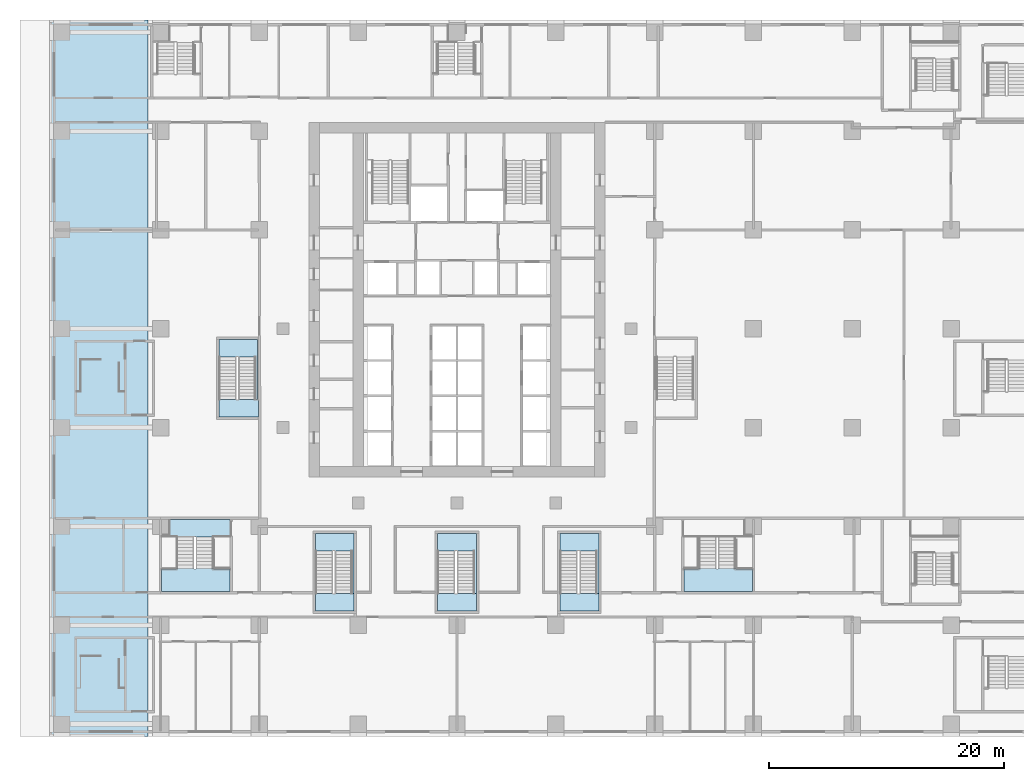
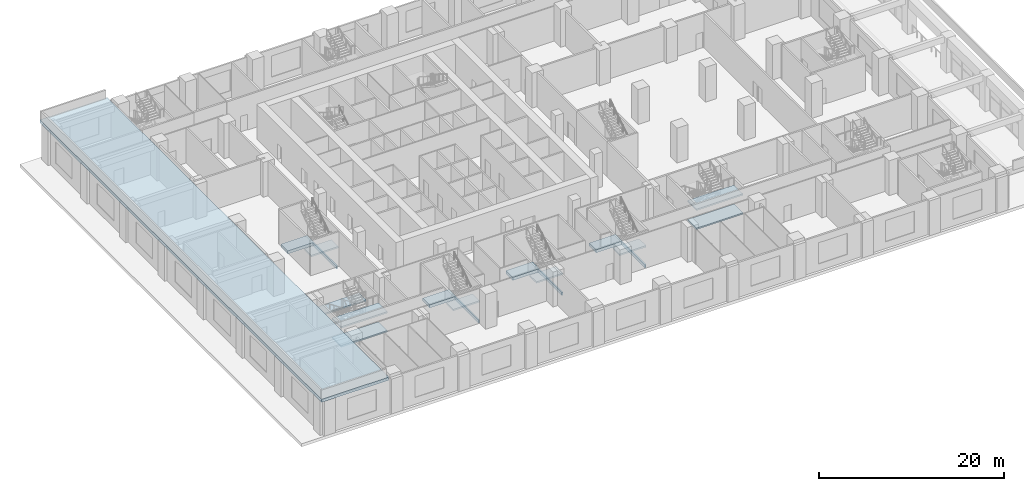
# One storey, part 4 of 29: 14 slabs, 6 elements without a shape of their own.
"""IFC4 building model written with IfcOpenShell, lengths in metres."""

import ifcopenshell
import ifcopenshell.guid

model = None  # the IFC model being written
_history = None  # IfcOwnerHistory: only IFC2X3 demands one
_inside = {}  # id of a spatial element -> (the spatial element, [elements in it])
_under = {}  # id of a project, library or spatial element -> (it, [spatial elements below it])
_declared = {}  # id of a project -> (the project, [libraries it declares])
_typed = {}  # id of a type object -> (the type object, [elements of that type])
_made_of = {}  # id of a material, layer set ... -> (it, [elements and type objects made of it])


def new_model(schema):
    """Start an empty IFC model of exactly this schema.

    Asked for "IFC4X3", IfcOpenShell would pick the latest addendum, in which some entities
    have other attributes; the version numbers below select the first issue.
    IFC2X3 requires an IfcOwnerHistory on every rooted entity: one is made here for all.
    """
    global model, _history
    if schema == "IFC4X3":
        model = ifcopenshell.file(schema_version=(4, 3, 0, 0))
    else:
        model = ifcopenshell.file(schema=schema)
    _inside.clear()
    _under.clear()
    _declared.clear()
    _typed.clear()
    _made_of.clear()
    _history = None
    if model.schema == "IFC2X3":
        org = make("IfcOrganization", Name="unknown")
        user = make(
            "IfcPersonAndOrganization",
            ThePerson=make("IfcPerson", FamilyName="unknown"),
            TheOrganization=org,
        )
        app = make(
            "IfcApplication",
            ApplicationDeveloper=org,
            Version="unknown",
            ApplicationFullName="unknown",
            ApplicationIdentifier="unknown",
        )
        _history = make(
            "IfcOwnerHistory",
            OwningUser=user,
            OwningApplication=app,
            ChangeAction="ADDED",
            CreationDate=0,
        )
    return model


def make(cls, **values):
    """One entity of the class cls with the attributes given. An attribute that is None is left unset."""
    return model.create_entity(
        cls, **{name: value for name, value in values.items() if value is not None}
    )


def rooted(cls, **values):
    """An entity with a GlobalId (a new one), such as an element, a storey or a relation."""
    return make(cls, GlobalId=ifcopenshell.guid.new(), OwnerHistory=_history, **values)


def si_unit(unit_type, name, prefix=None):
    """IfcSIUnit, for example si_unit("LENGTHUNIT", "METRE", prefix="MILLI")."""
    return make("IfcSIUnit", UnitType=unit_type, Prefix=prefix, Name=name)


def assignment(units):
    """IfcUnitAssignment: the units of a project."""
    return None if units is None else make("IfcUnitAssignment", Units=units)


def point(xyz):
    """IfcCartesianPoint."""
    return None if xyz is None else make("IfcCartesianPoint", Coordinates=xyz)


def direction(xyz):
    """IfcDirection."""
    return None if xyz is None else make("IfcDirection", DirectionRatios=xyz)


def frame(location, z_axis=None, x_axis=None):
    """IfcAxis2Placement3D, a coordinate frame: its origin and axes. An axis left out is left unset."""
    return make(
        "IfcAxis2Placement3D",
        Location=point(location),
        Axis=direction(z_axis),
        RefDirection=direction(x_axis),
    )


def origin():
    """The frame at (0, 0, 0) with its axes left unset."""
    return frame((0.0, 0.0, 0.0))


def place(relative_to, where):
    """IfcLocalPlacement: puts the frame where relative to a parent placement (None: the world)."""
    return make(
        "IfcLocalPlacement", PlacementRelTo=relative_to, RelativePlacement=where
    )


def context(
    kind, dimensions, precision=None, world=None, true_north=None, identifier=None
):
    """IfcGeometricRepresentationContext, for example the 3D "Model" context."""
    return make(
        "IfcGeometricRepresentationContext",
        ContextIdentifier=identifier,
        ContextType=kind,
        CoordinateSpaceDimension=dimensions,
        Precision=precision,
        WorldCoordinateSystem=world,
        TrueNorth=true_north,
    )


def subcontext(parent, identifier, kind, view, scale=None):
    """IfcGeometricRepresentationSubContext, for example "Body" below "Model"."""
    return make(
        "IfcGeometricRepresentationSubContext",
        ContextIdentifier=identifier,
        ContextType=kind,
        ParentContext=parent,
        TargetScale=scale,
        TargetView=view,
    )


def project(units=None, contexts=None):
    """IfcProject with its units and contexts."""
    return rooted(
        "IfcProject",
        Name="project",
        RepresentationContexts=contexts,
        UnitsInContext=assignment(units),
    )


def spatial(cls, under=None, at=None, **own):
    """A site, building, storey or space (cls), placed at a placement, below another one or the project."""
    s = rooted(cls, ObjectPlacement=at, **own)
    if under is not None:
        _under.setdefault(under.id(), (under, []))[1].append(s)
    return s


def polyline(points):
    """IfcPolyline through the points."""
    return make("IfcPolyline", Points=[point(p) for p in points])


def outline(outer, holes=None, kind="AREA"):
    """IfcArbitraryClosedProfileDef: a profile drawn as a closed curve; with holes, ...WithVoids."""
    if holes is None:
        return make("IfcArbitraryClosedProfileDef", ProfileType=kind, OuterCurve=outer)
    return make(
        "IfcArbitraryProfileDefWithVoids",
        ProfileType=kind,
        OuterCurve=outer,
        InnerCurves=holes,
    )


def extrude(swept, where, along, depth):
    """IfcExtrudedAreaSolid: the profile swept, set in the frame where, extruded along a direction by depth."""
    return make(
        "IfcExtrudedAreaSolid",
        SweptArea=swept,
        Position=where,
        ExtrudedDirection=direction(along),
        Depth=depth,
    )


def shape(context_of_items, identifier, shape_type, items):
    """IfcShapeRepresentation: the items that make up one representation, for example the "Body"."""
    return make(
        "IfcShapeRepresentation",
        ContextOfItems=context_of_items,
        RepresentationIdentifier=identifier,
        RepresentationType=shape_type,
        Items=items,
    )


def material(Name=None, Category=None):
    """IfcMaterial."""
    return make("IfcMaterial", Name=Name, Category=Category)


def layer(
    of_material, thickness, ventilated=None, Name=None, Category=None, Priority=None
):
    """IfcMaterialLayer: one layer of a wall or slab, of a material (None: an air gap)."""
    return make(
        "IfcMaterialLayer",
        Material=of_material,
        LayerThickness=thickness,
        IsVentilated=ventilated,
        Name=Name,
        Category=Category,
        Priority=Priority,
    )


def layer_set(layers, Name=None):
    """IfcMaterialLayerSet."""
    return make("IfcMaterialLayerSet", MaterialLayers=layers, LayerSetName=Name)


def made_of(thing, what):
    """Note that an element or type object is made of a material, layer set ...; save() writes the relation."""
    if what is not None:
        _made_of.setdefault(what.id(), (what, []))[1].append(thing)
    return thing


def type_object(cls, material=None, **own):
    """A type object (cls), such as IfcWallType, which elements share."""
    return made_of(rooted(cls, **own), material)


def element(
    cls,
    number,
    at=None,
    inside=None,
    cuts=None,
    type_object=None,
    material=None,
    context=None,
    identifier="Body",
    shape_type=None,
    held_by="IfcProductDefinitionShape",
    body=None,
    shapes=None,
    **own,
):
    """One element of the class cls, such as IfcWall. Its Tag is "e" and its number.

    at: its placement. inside: the storey or other place that contains it. cuts: it is an
    opening in that element (IfcRelVoidsElement). A single representation is given by context,
    identifier, shape_type and body (its items); several are given by shapes. held_by: the class
    of the entity that holds the representations. save() writes the other relations.
    """
    e = rooted(cls, Tag="e%d" % number, ObjectPlacement=at, **own)
    if body is not None:
        shapes = [shape(context, identifier, shape_type, body)]
    if shapes is not None:
        e.Representation = make(held_by, Representations=shapes)
    if inside is not None:
        _inside.setdefault(inside.id(), (inside, []))[1].append(e)
    if cuts is not None:
        rooted(
            "IfcRelVoidsElement", RelatingBuildingElement=cuts, RelatedOpeningElement=e
        )
    if type_object is not None:
        _typed.setdefault(type_object.id(), (type_object, []))[1].append(e)
    return made_of(e, material)


def aggregate(whole, parts):
    """IfcRelAggregates: a whole, such as a stair, and the parts it consists of."""
    return rooted("IfcRelAggregates", RelatingObject=whole, RelatedObjects=parts)


def save(model, path):
    """Write the relations noted so far, then the file.

    IfcRelAggregates (storeys below a building ...), IfcRelContainedInSpatialStructure (elements
    in a storey), IfcRelDefinesByType, IfcRelAssociatesMaterial and IfcRelDeclares: one each for
    every whole, place, type object, material and project.
    """
    for whole, parts in _under.values():
        aggregate(whole, parts)
    for where, things in _inside.values():
        rooted(
            "IfcRelContainedInSpatialStructure",
            RelatedElements=things,
            RelatingStructure=where,
        )
    for kind, things in _typed.values():
        rooted("IfcRelDefinesByType", RelatedObjects=things, RelatingType=kind)
    for what, things in _made_of.values():
        rooted("IfcRelAssociatesMaterial", RelatedObjects=things, RelatingMaterial=what)
    for by, libraries in _declared.values():
        rooted("IfcRelDeclares", RelatingContext=by, RelatedDefinitions=libraries)
    model.write(path)


model = new_model("IFC4")

# Units and contexts
model_context = context("Model", 3, precision=1e-05, world=origin(), true_north=direction((0.0, 1.0)))
body_context = subcontext(model_context, "Body", "Model", "MODEL_VIEW")
ifc_project = project(units=[si_unit("LENGTHUNIT", "METRE"), si_unit("AREAUNIT", "SQUARE_METRE"), si_unit("VOLUMEUNIT", "CUBIC_METRE"), si_unit("PLANEANGLEUNIT", "RADIAN"), si_unit("MASSUNIT", "GRAM", prefix="KILO")], contexts=[model_context])

# Site, building, storey
site_placement = place(None, origin())
site = spatial("IfcSite", under=ifc_project, at=site_placement, CompositionType="ELEMENT")
building_placement = place(site_placement, origin())
building = spatial("IfcBuilding", under=site, at=building_placement, Name="Vermilion Ogive Tower", CompositionType="ELEMENT")
storey_placement = place(building_placement, frame((0.0, 0.0, 7.5)))
storey = spatial("IfcBuildingStorey", under=building, at=storey_placement, Name="L01", CompositionType="ELEMENT", Elevation=7.5)

# Slabs
ifc_material_1 = material(Name="Concrete B40", Category="concrete")
ifc_layer_1 = layer(ifc_material_1, 0.39990234375)
ifc_layer_set_1 = layer_set([ifc_layer_1], Name="Core floor slab 400 B40")
slab_type_1 = type_object("IfcSlabType", Name="Core floor slab 400 B40", PredefinedType="FLOOR", material=ifc_layer_set_1)
slab_1_placement = place(storey_placement, frame((0.0, 0.0, -0.39990234375)))
element("IfcSlab", 1, at=slab_1_placement, inside=storey, type_object=slab_type_1, Name="L01-SF-ST3-1", PredefinedType="FLOOR", context=body_context, shape_type="SweptSolid", body=[
    extrude(outline(polyline([(-12.050048828125, -13.199951171875), (-12.050048828125, -14.701904296875), (-10.550048828125, -14.701904296875), (-10.550048828125, -14.699951171875), (-10.39990234375, -14.699951171875), (-10.39990234375, -14.701904296875), (-8.89990234375, -14.701904296875), (-8.89990234375, -19.800048828125), (-8.75, -19.800048828125), (-8.75, -13.199951171875), (-12.050048828125, -13.199951171875)])), origin(), (0.0, 0.0, 1.0), 0.39990234375),
])
slab_2_placement = place(storey_placement, frame((0.0, 0.0, -0.39990234375)))
element("IfcSlab", 2, at=slab_2_placement, inside=storey, type_object=slab_type_1, Name="L01-SF-ST4-1", PredefinedType="FLOOR", context=body_context, shape_type="SweptSolid", body=[
    extrude(outline(polyline([(-1.64990234375, -13.199951171875), (-1.64990234375, -14.701904296875), (-0.14990234375, -14.701904296875), (-0.14990234375, -14.699951171875), (0.0, -14.699951171875), (0.0, -14.701904296875), (1.5, -14.701904296875), (1.5, -19.800048828125), (1.64990234375, -19.800048828125), (1.64990234375, -13.199951171875), (-1.64990234375, -13.199951171875)])), origin(), (0.0, 0.0, 1.0), 0.39990234375),
])
slab_3_placement = place(storey_placement, frame((0.0, 0.0, -0.39990234375)))
element("IfcSlab", 3, at=slab_3_placement, inside=storey, type_object=slab_type_1, Name="L01-SF-ST5-1", PredefinedType="FLOOR", context=body_context, shape_type="SweptSolid", body=[
    extrude(outline(polyline([(8.75, -13.199951171875), (8.75, -14.701904296875), (10.25, -14.701904296875), (10.25, -14.699951171875), (10.39990234375, -14.699951171875), (10.39990234375, -14.701904296875), (11.89990234375, -14.701904296875), (11.89990234375, -19.800048828125), (12.050048828125, -19.800048828125), (12.050048828125, -13.199951171875), (8.75, -13.199951171875)])), origin(), (0.0, 0.0, 1.0), 0.39990234375),
])
slab_4_placement = place(storey_placement, frame((0.0, 0.0, -0.39990234375)))
element("IfcSlab", 4, at=slab_4_placement, inside=storey, type_object=slab_type_1, Name="L01-SF-ST9-1", PredefinedType="FLOOR", context=body_context, shape_type="SweptSolid", body=[
    extrude(outline(polyline([(-20.25, 3.300048828125), (-20.25, 1.798095703125), (-18.75, 1.798095703125), (-18.75, 1.800048828125), (-18.60009765625, 1.800048828125), (-18.60009765625, 1.798095703125), (-17.10009765625, 1.798095703125), (-17.10009765625, -3.300048828125), (-16.949951171875, -3.300048828125), (-16.949951171875, 3.300048828125), (-20.25, 3.300048828125)])), origin(), (0.0, 0.0, 1.0), 0.39990234375),
])
ifc_material_2 = material(Name="Concrete B45", Category="concrete")
ifc_layer_2 = layer(ifc_material_2, 0.39990234375)
ifc_layer_set_2 = layer_set([ifc_layer_2], Name="Podium roof slab 400")
slab_type_2 = type_object("IfcSlabType", Name="Podium roof slab 400", PredefinedType="ROOF", material=ifc_layer_set_2)
slab_5_placement = place(storey_placement, frame((0.0, 0.0, 4.60009765625)))
element("IfcSlab", 5, at=slab_5_placement, inside=storey, type_object=slab_type_2, Name="L01 terrace roof 2", PredefinedType="ROOF", context=body_context, shape_type="SweptSolid", body=[
    extrude(outline(polyline([(-34.64990234375, -30.449951171875), (-26.2509765625, -30.449951171875), (-26.2509765625, 30.449951171875), (-34.64990234375, 30.449951171875), (-34.64990234375, -30.449951171875)])), origin(), (0.0, 0.0, 1.0), 0.39990234375),
])

# Stair, slab
ifc_material_3 = material(Name="Concrete B40", Category="concrete")
stair_type = type_object("IfcStairType", Name="Exit stair 1500", PredefinedType="HALF_TURN_STAIR", material=ifc_material_3)
stair_1_placement = place(storey_placement, origin())
stair_1 = element("IfcStair", 6, at=stair_1_placement, inside=storey, type_object=stair_type, Name="L01 Exit Stair ST3", PredefinedType="HALF_TURN_STAIR")
ifc_material_4 = material(Name="Concrete B40", Category="concrete")
ifc_layer_3 = layer(ifc_material_4, 0.199951171875)
ifc_layer_set_3 = layer_set([ifc_layer_3], Name="Stair landing 200")
slab_type_3 = type_object("IfcSlabType", Name="Stair landing 200", PredefinedType="LANDING", material=ifc_layer_set_3)
slab_6_placement = place(storey_placement, frame((0.0, 0.0, 2.300048828125)))
slab_6 = element("IfcSlab", 7, at=slab_6_placement, type_object=slab_type_3, Name="ST3 landing 1", PredefinedType="LANDING", context=body_context, shape_type="SweptSolid", body=[
    extrude(outline(polyline([(-8.75, -18.300048828125), (-8.89990234375, -18.300048828125), (-8.89990234375, -18.298095703125), (-10.39990234375, -18.298095703125), (-10.39990234375, -18.300048828125), (-10.550048828125, -18.300048828125), (-10.550048828125, -18.298095703125), (-12.050048828125, -18.298095703125), (-12.050048828125, -19.800048828125), (-8.75, -19.800048828125), (-8.75, -18.300048828125)])), origin(), (0.0, 0.0, 1.0), 0.199951171875),
])
aggregate(stair_1, [slab_6])

stair_2_placement = place(storey_placement, origin())
stair_2 = element("IfcStair", 8, at=stair_2_placement, inside=storey, type_object=stair_type, Name="L01 Exit Stair ST4", PredefinedType="HALF_TURN_STAIR")
slab_7_placement = place(storey_placement, frame((0.0, 0.0, 2.300048828125)))
slab_7 = element("IfcSlab", 9, at=slab_7_placement, type_object=slab_type_3, Name="ST4 landing 1", PredefinedType="LANDING", context=body_context, shape_type="SweptSolid", body=[
    extrude(outline(polyline([(1.64990234375, -18.300048828125), (1.5, -18.300048828125), (1.5, -18.298095703125), (0.0, -18.298095703125), (0.0, -18.300048828125), (-0.14990234375, -18.300048828125), (-0.14990234375, -18.298095703125), (-1.64990234375, -18.298095703125), (-1.64990234375, -19.800048828125), (1.64990234375, -19.800048828125), (1.64990234375, -18.300048828125)])), origin(), (0.0, 0.0, 1.0), 0.199951171875),
])
aggregate(stair_2, [slab_7])

stair_3_placement = place(storey_placement, origin())
stair_3 = element("IfcStair", 10, at=stair_3_placement, inside=storey, type_object=stair_type, Name="L01 Exit Stair ST5", PredefinedType="HALF_TURN_STAIR")
slab_8_placement = place(storey_placement, frame((0.0, 0.0, 2.300048828125)))
slab_8 = element("IfcSlab", 11, at=slab_8_placement, type_object=slab_type_3, Name="ST5 landing 1", PredefinedType="LANDING", context=body_context, shape_type="SweptSolid", body=[
    extrude(outline(polyline([(12.050048828125, -18.300048828125), (11.89990234375, -18.300048828125), (11.89990234375, -18.298095703125), (10.39990234375, -18.298095703125), (10.39990234375, -18.300048828125), (10.25, -18.300048828125), (10.25, -18.298095703125), (8.75, -18.298095703125), (8.75, -19.800048828125), (12.050048828125, -19.800048828125), (12.050048828125, -18.300048828125)])), origin(), (0.0, 0.0, 1.0), 0.199951171875),
])
aggregate(stair_3, [slab_8])

stair_4_placement = place(storey_placement, origin())
stair_4 = element("IfcStair", 12, at=stair_4_placement, inside=storey, type_object=stair_type, Name="L01 Exit Stair ST9", PredefinedType="HALF_TURN_STAIR")
slab_9_placement = place(storey_placement, frame((0.0, 0.0, 2.300048828125)))
slab_9 = element("IfcSlab", 13, at=slab_9_placement, type_object=slab_type_3, Name="ST9 landing 1", PredefinedType="LANDING", context=body_context, shape_type="SweptSolid", body=[
    extrude(outline(polyline([(-16.875, -1.800048828125), (-17.10009765625, -1.800048828125), (-17.10009765625, -1.798095703125), (-18.60009765625, -1.798095703125), (-18.60009765625, -1.800048828125), (-18.75, -1.800048828125), (-18.75, -1.798095703125), (-20.25, -1.798095703125), (-20.25, -3.300048828125), (-16.875, -3.300048828125), (-16.875, -1.800048828125)])), origin(), (0.0, 0.0, 1.0), 0.199951171875),
])
aggregate(stair_4, [slab_9])

# Stair, slabs
stair_5_placement = place(storey_placement, origin())
stair_5 = element("IfcStair", 14, at=stair_5_placement, inside=storey, type_object=stair_type, Name="L01 Exit Stair PS3", PredefinedType="HALF_TURN_STAIR")
slab_10_placement = place(storey_placement, frame((0.0, 0.0, 1.050048828125)))
slab_10 = element("IfcSlab", 15, at=slab_10_placement, type_object=slab_type_3, Name="PS3 landing 1", PredefinedType="LANDING", context=body_context, shape_type="SweptSolid", body=[
    extrude(outline(polyline([(25.099853515625, -16.199951171875), (23.699951171875, -16.199951171875), (23.699951171875, -16.197998046875), (22.199951171875, -16.197998046875), (22.199951171875, -16.199951171875), (22.050048828125, -16.199951171875), (22.050048828125, -16.197998046875), (20.550048828125, -16.197998046875), (20.550048828125, -16.199951171875), (19.300048828125, -16.199951171875), (19.300048828125, -18.125), (25.099853515625, -18.125), (25.099853515625, -16.199951171875)])), origin(), (0.0, 0.0, 1.0), 0.199951171875),
])
slab_11_placement = place(storey_placement, frame((0.0, 0.0, 3.550048828125)))
slab_11 = element("IfcSlab", 16, at=slab_11_placement, type_object=slab_type_3, Name="PS3 landing 3", PredefinedType="LANDING", context=body_context, shape_type="SweptSolid", body=[
    extrude(outline(polyline([(25.099853515625, -16.199951171875), (23.699951171875, -16.199951171875), (23.699951171875, -16.197998046875), (22.199951171875, -16.197998046875), (22.199951171875, -16.199951171875), (22.050048828125, -16.199951171875), (22.050048828125, -16.197998046875), (20.550048828125, -16.197998046875), (20.550048828125, -16.199951171875), (19.300048828125, -16.199951171875), (19.300048828125, -18.125), (25.099853515625, -18.125), (25.099853515625, -16.199951171875)])), origin(), (0.0, 0.0, 1.0), 0.199951171875),
])
aggregate(stair_5, [slab_10, slab_11])

stair_6_placement = place(storey_placement, origin())
stair_6 = element("IfcStair", 17, at=stair_6_placement, inside=storey, type_object=stair_type, Name="L01 Exit Stair PS4", PredefinedType="HALF_TURN_STAIR")
slab_12_placement = place(storey_placement, frame((0.0, 0.0, 1.050048828125)))
slab_12 = element("IfcSlab", 18, at=slab_12_placement, type_object=slab_type_3, Name="PS4 landing 1", PredefinedType="LANDING", context=body_context, shape_type="SweptSolid", body=[
    extrude(outline(polyline([(-19.300048828125, -16.199951171875), (-20.699951171875, -16.199951171875), (-20.699951171875, -16.197998046875), (-22.199951171875, -16.197998046875), (-22.199951171875, -16.199951171875), (-22.35009765625, -16.199951171875), (-22.35009765625, -16.197998046875), (-23.85009765625, -16.197998046875), (-23.85009765625, -16.199951171875), (-25.099853515625, -16.199951171875), (-25.099853515625, -18.125), (-19.300048828125, -18.125), (-19.300048828125, -16.199951171875)])), origin(), (0.0, 0.0, 1.0), 0.199951171875),
])
slab_13_placement = place(storey_placement, frame((0.0, 0.0, 2.300048828125)))
slab_13 = element("IfcSlab", 19, at=slab_13_placement, type_object=slab_type_3, Name="PS4 landing 2", PredefinedType="LANDING", context=body_context, shape_type="SweptSolid", body=[
    extrude(outline(polyline([(-25.099853515625, -13.5), (-23.85009765625, -13.5), (-23.85009765625, -13.501953125), (-22.35009765625, -13.501953125), (-22.35009765625, -13.5), (-22.199951171875, -13.5), (-22.199951171875, -13.501953125), (-20.699951171875, -13.501953125), (-20.699951171875, -13.5), (-19.300048828125, -13.5), (-19.300048828125, -12.0), (-25.099853515625, -12.0), (-25.099853515625, -13.5)])), origin(), (0.0, 0.0, 1.0), 0.199951171875),
])
slab_14_placement = place(storey_placement, frame((0.0, 0.0, 3.550048828125)))
slab_14 = element("IfcSlab", 20, at=slab_14_placement, type_object=slab_type_3, Name="PS4 landing 3", PredefinedType="LANDING", context=body_context, shape_type="SweptSolid", body=[
    extrude(outline(polyline([(-19.300048828125, -16.199951171875), (-20.699951171875, -16.199951171875), (-20.699951171875, -16.197998046875), (-22.199951171875, -16.197998046875), (-22.199951171875, -16.199951171875), (-22.35009765625, -16.199951171875), (-22.35009765625, -16.197998046875), (-23.85009765625, -16.197998046875), (-23.85009765625, -16.199951171875), (-25.099853515625, -16.199951171875), (-25.099853515625, -18.125), (-19.300048828125, -18.125), (-19.300048828125, -16.199951171875)])), origin(), (0.0, 0.0, 1.0), 0.199951171875),
])
aggregate(stair_6, [slab_12, slab_13, slab_14])

save(model, "model.ifc")
